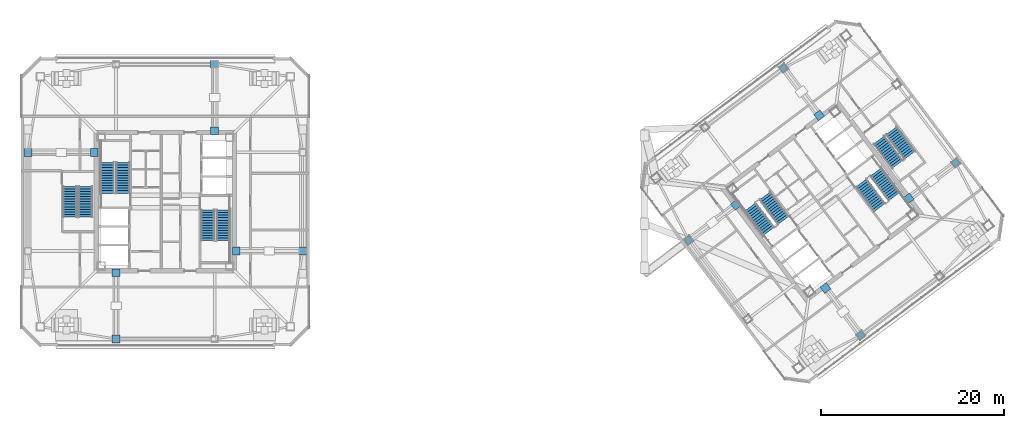
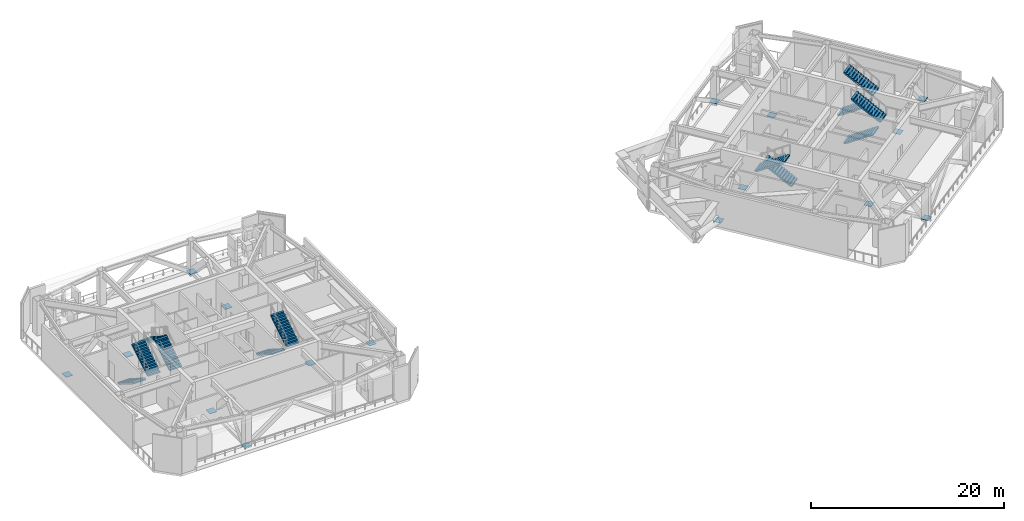
# One storey, part 9 of 15: 16 discrete accessories, 12 stair flights, 6 elements without a shape of their own.
"""IFC4 building model written with IfcOpenShell, lengths in metres."""

import ifcopenshell
import ifcopenshell.guid

model = None  # the IFC model being written
_history = None  # IfcOwnerHistory: only IFC2X3 demands one
_inside = {}  # id of a spatial element -> (the spatial element, [elements in it])
_under = {}  # id of a project, library or spatial element -> (it, [spatial elements below it])
_declared = {}  # id of a project -> (the project, [libraries it declares])
_typed = {}  # id of a type object -> (the type object, [elements of that type])
_made_of = {}  # id of a material, layer set ... -> (it, [elements and type objects made of it])


def new_model(schema):
    """Start an empty IFC model of exactly this schema.

    Asked for "IFC4X3", IfcOpenShell would pick the latest addendum, in which some entities
    have other attributes; the version numbers below select the first issue.
    IFC2X3 requires an IfcOwnerHistory on every rooted entity: one is made here for all.
    """
    global model, _history
    if schema == "IFC4X3":
        model = ifcopenshell.file(schema_version=(4, 3, 0, 0))
    else:
        model = ifcopenshell.file(schema=schema)
    _inside.clear()
    _under.clear()
    _declared.clear()
    _typed.clear()
    _made_of.clear()
    _history = None
    if model.schema == "IFC2X3":
        org = make("IfcOrganization", Name="unknown")
        user = make(
            "IfcPersonAndOrganization",
            ThePerson=make("IfcPerson", FamilyName="unknown"),
            TheOrganization=org,
        )
        app = make(
            "IfcApplication",
            ApplicationDeveloper=org,
            Version="unknown",
            ApplicationFullName="unknown",
            ApplicationIdentifier="unknown",
        )
        _history = make(
            "IfcOwnerHistory",
            OwningUser=user,
            OwningApplication=app,
            ChangeAction="ADDED",
            CreationDate=0,
        )
    return model


def make(cls, **values):
    """One entity of the class cls with the attributes given. An attribute that is None is left unset."""
    return model.create_entity(
        cls, **{name: value for name, value in values.items() if value is not None}
    )


def rooted(cls, **values):
    """An entity with a GlobalId (a new one), such as an element, a storey or a relation."""
    return make(cls, GlobalId=ifcopenshell.guid.new(), OwnerHistory=_history, **values)


def si_unit(unit_type, name, prefix=None):
    """IfcSIUnit, for example si_unit("LENGTHUNIT", "METRE", prefix="MILLI")."""
    return make("IfcSIUnit", UnitType=unit_type, Prefix=prefix, Name=name)


def assignment(units):
    """IfcUnitAssignment: the units of a project."""
    return None if units is None else make("IfcUnitAssignment", Units=units)


def point(xyz):
    """IfcCartesianPoint."""
    return None if xyz is None else make("IfcCartesianPoint", Coordinates=xyz)


def direction(xyz):
    """IfcDirection."""
    return None if xyz is None else make("IfcDirection", DirectionRatios=xyz)


def frame(location, z_axis=None, x_axis=None):
    """IfcAxis2Placement3D, a coordinate frame: its origin and axes. An axis left out is left unset."""
    return make(
        "IfcAxis2Placement3D",
        Location=point(location),
        Axis=direction(z_axis),
        RefDirection=direction(x_axis),
    )


def frame_2d(location, x_axis=None):
    """IfcAxis2Placement2D, a coordinate frame in the plane: its origin and x axis."""
    return make(
        "IfcAxis2Placement2D", Location=point(location), RefDirection=direction(x_axis)
    )


def origin():
    """The frame at (0, 0, 0) with its axes left unset."""
    return frame((0.0, 0.0, 0.0))


def origin_2d():
    """The frame at (0, 0) in the plane with its x axis left unset."""
    return frame_2d((0.0, 0.0))


def place(relative_to, where):
    """IfcLocalPlacement: puts the frame where relative to a parent placement (None: the world)."""
    return make(
        "IfcLocalPlacement", PlacementRelTo=relative_to, RelativePlacement=where
    )


def context(
    kind, dimensions, precision=None, world=None, true_north=None, identifier=None
):
    """IfcGeometricRepresentationContext, for example the 3D "Model" context."""
    return make(
        "IfcGeometricRepresentationContext",
        ContextIdentifier=identifier,
        ContextType=kind,
        CoordinateSpaceDimension=dimensions,
        Precision=precision,
        WorldCoordinateSystem=world,
        TrueNorth=true_north,
    )


def subcontext(parent, identifier, kind, view, scale=None):
    """IfcGeometricRepresentationSubContext, for example "Body" below "Model"."""
    return make(
        "IfcGeometricRepresentationSubContext",
        ContextIdentifier=identifier,
        ContextType=kind,
        ParentContext=parent,
        TargetScale=scale,
        TargetView=view,
    )


def project(units=None, contexts=None):
    """IfcProject with its units and contexts."""
    return rooted(
        "IfcProject",
        Name="project",
        RepresentationContexts=contexts,
        UnitsInContext=assignment(units),
    )


def spatial(cls, under=None, at=None, **own):
    """A site, building, storey or space (cls), placed at a placement, below another one or the project."""
    s = rooted(cls, ObjectPlacement=at, **own)
    if under is not None:
        _under.setdefault(under.id(), (under, []))[1].append(s)
    return s


def polyline(points):
    """IfcPolyline through the points."""
    return make("IfcPolyline", Points=[point(p) for p in points])


def profile(cls, at=None, kind="AREA", **sizes):
    """A parametric profile (cls). Its sizes go by their IFC names, for example OverallWidth=200.0."""
    return make(cls, ProfileType=kind, Position=at, **sizes)


def rectangle(**sizes):
    """IfcRectangleProfileDef."""
    return profile("IfcRectangleProfileDef", **sizes)


def outline(outer, holes=None, kind="AREA"):
    """IfcArbitraryClosedProfileDef: a profile drawn as a closed curve; with holes, ...WithVoids."""
    if holes is None:
        return make("IfcArbitraryClosedProfileDef", ProfileType=kind, OuterCurve=outer)
    return make(
        "IfcArbitraryProfileDefWithVoids",
        ProfileType=kind,
        OuterCurve=outer,
        InnerCurves=holes,
    )


def extrude(swept, where, along, depth):
    """IfcExtrudedAreaSolid: the profile swept, set in the frame where, extruded along a direction by depth."""
    return make(
        "IfcExtrudedAreaSolid",
        SweptArea=swept,
        Position=where,
        ExtrudedDirection=direction(along),
        Depth=depth,
    )


def shape(context_of_items, identifier, shape_type, items):
    """IfcShapeRepresentation: the items that make up one representation, for example the "Body"."""
    return make(
        "IfcShapeRepresentation",
        ContextOfItems=context_of_items,
        RepresentationIdentifier=identifier,
        RepresentationType=shape_type,
        Items=items,
    )


def material(Name=None, Category=None):
    """IfcMaterial."""
    return make("IfcMaterial", Name=Name, Category=Category)


def made_of(thing, what):
    """Note that an element or type object is made of a material, layer set ...; save() writes the relation."""
    if what is not None:
        _made_of.setdefault(what.id(), (what, []))[1].append(thing)
    return thing


def type_object(cls, material=None, **own):
    """A type object (cls), such as IfcWallType, which elements share."""
    return made_of(rooted(cls, **own), material)


def element(
    cls,
    number,
    at=None,
    inside=None,
    cuts=None,
    type_object=None,
    material=None,
    context=None,
    identifier="Body",
    shape_type=None,
    held_by="IfcProductDefinitionShape",
    body=None,
    shapes=None,
    **own,
):
    """One element of the class cls, such as IfcWall. Its Tag is "e" and its number.

    at: its placement. inside: the storey or other place that contains it. cuts: it is an
    opening in that element (IfcRelVoidsElement). A single representation is given by context,
    identifier, shape_type and body (its items); several are given by shapes. held_by: the class
    of the entity that holds the representations. save() writes the other relations.
    """
    e = rooted(cls, Tag="e%d" % number, ObjectPlacement=at, **own)
    if body is not None:
        shapes = [shape(context, identifier, shape_type, body)]
    if shapes is not None:
        e.Representation = make(held_by, Representations=shapes)
    if inside is not None:
        _inside.setdefault(inside.id(), (inside, []))[1].append(e)
    if cuts is not None:
        rooted(
            "IfcRelVoidsElement", RelatingBuildingElement=cuts, RelatedOpeningElement=e
        )
    if type_object is not None:
        _typed.setdefault(type_object.id(), (type_object, []))[1].append(e)
    return made_of(e, material)


def aggregate(whole, parts):
    """IfcRelAggregates: a whole, such as a stair, and the parts it consists of."""
    return rooted("IfcRelAggregates", RelatingObject=whole, RelatedObjects=parts)


def save(model, path):
    """Write the relations noted so far, then the file.

    IfcRelAggregates (storeys below a building ...), IfcRelContainedInSpatialStructure (elements
    in a storey), IfcRelDefinesByType, IfcRelAssociatesMaterial and IfcRelDeclares: one each for
    every whole, place, type object, material and project.
    """
    for whole, parts in _under.values():
        aggregate(whole, parts)
    for where, things in _inside.values():
        rooted(
            "IfcRelContainedInSpatialStructure",
            RelatedElements=things,
            RelatingStructure=where,
        )
    for kind, things in _typed.values():
        rooted("IfcRelDefinesByType", RelatedObjects=things, RelatingType=kind)
    for what, things in _made_of.values():
        rooted("IfcRelAssociatesMaterial", RelatedObjects=things, RelatingMaterial=what)
    for by, libraries in _declared.values():
        rooted("IfcRelDeclares", RelatingContext=by, RelatedDefinitions=libraries)
    model.write(path)


model = new_model("IFC4")

# Units and contexts
model_context = context("Model", 3, precision=1e-05, world=origin(), true_north=direction((0.0, 1.0)))
body_context = subcontext(model_context, "Body", "Model", "MODEL_VIEW")
ifc_project = project(units=[si_unit("LENGTHUNIT", "METRE"), si_unit("AREAUNIT", "SQUARE_METRE"), si_unit("VOLUMEUNIT", "CUBIC_METRE"), si_unit("PLANEANGLEUNIT", "RADIAN"), si_unit("MASSUNIT", "GRAM", prefix="KILO")], contexts=[model_context])

# Site, building, storey
site_placement = place(None, origin())
site = spatial("IfcSite", under=ifc_project, at=site_placement, CompositionType="ELEMENT")
building_placement = place(site_placement, origin())
building = spatial("IfcBuilding", under=site, at=building_placement, Name="Tashvorn Skyway Center", CompositionType="ELEMENT")
storey_placement = place(building_placement, frame((0.0, 0.0, 246.800048828125)))
storey = spatial("IfcBuildingStorey", under=building, at=storey_placement, Name="L67", CompositionType="ELEMENT", Elevation=246.800048828125)

# Stair, stair flights
ifc_material_1 = material(Name="Concrete C40/50", Category="concrete")
stair_type = type_object("IfcStairType", Name="STAIR-CORE-1500", PredefinedType="HALF_TURN_STAIR", material=ifc_material_1)
stair_1_placement = place(storey_placement, origin())
stair_1 = element("IfcStair", 1, at=stair_1_placement, inside=storey, type_object=stair_type, Name="L67 Tower 1 Exit Stair 1", PredefinedType="HALF_TURN_STAIR")
stair_flight_type = type_object("IfcStairFlightType", Name="SFLIGHT-1500", PredefinedType="STRAIGHT", material=ifc_material_1)
stair_flight_1_placement = place(storey_placement, frame((37.35009765625, 32.919921875, 0.0), z_axis=(0.0, 0.0, 1.0), x_axis=(0.0, 1.0, 0.0)))
stair_flight_1 = element("IfcStairFlight", 2, at=stair_flight_1_placement, type_object=stair_flight_type, Name="ST-T1-1 flight 1", NumberOfRisers=13, NumberOfTreads=12, PredefinedType="STRAIGHT", RiserHeight=0.176923077, TreadLength=0.28, context=body_context, shape_type="SweptSolid", body=[
    extrude(outline(polyline([(0.0, 0.0), (0.0, 0.177001953125), (0.280029296875, 0.177001953125), (0.280029296875, 0.353759765625), (0.56005859375, 0.353759765625), (0.56005859375, 0.53076171875), (0.840087890625, 0.53076171875), (0.840087890625, 0.707763671875), (1.1201171875, 0.707763671875), (1.1201171875, 0.884521484375), (1.39990234375, 0.884521484375), (1.39990234375, 1.0615234375), (1.679931640625, 1.0615234375), (1.679931640625, 1.238525390625), (1.9599609375, 1.238525390625), (1.9599609375, 1.415283203125), (2.239990234375, 1.415283203125), (2.239990234375, 1.59228515625), (2.52001953125, 1.59228515625), (2.52001953125, 1.769287109375), (2.800048828125, 1.769287109375), (2.800048828125, 1.946044921875), (3.080078125, 1.946044921875), (3.080078125, 2.123046875), (3.360107421875, 2.123046875), (3.360107421875, 2.300048828125), (3.360107421875, 1.94580078125), (0.280517578125, 0.0), (0.0, 0.0)])), frame((0.0, 0.75, 0.0), z_axis=(0.0, -1.0, 0.0), x_axis=(1.0, 0.0, 0.0)), (0.0, 0.0, 1.0), 1.5),
])
stair_flight_2_placement = place(storey_placement, frame((35.64990234375, 36.280029296875, 2.300048828125), z_axis=(0.0, 0.0, 1.0), x_axis=(0.0, -1.0, 0.0)))
stair_flight_2 = element("IfcStairFlight", 3, at=stair_flight_2_placement, type_object=stair_flight_type, Name="ST-T1-1 flight 2", NumberOfRisers=13, NumberOfTreads=12, PredefinedType="STRAIGHT", RiserHeight=0.176923077, TreadLength=0.28, context=body_context, shape_type="SweptSolid", body=[
    extrude(outline(polyline([(0.0, 0.0), (0.0, 0.177001953125), (0.280029296875, 0.177001953125), (0.280029296875, 0.353759765625), (0.56005859375, 0.353759765625), (0.56005859375, 0.53076171875), (0.840087890625, 0.53076171875), (0.840087890625, 0.707763671875), (1.1201171875, 0.707763671875), (1.1201171875, 0.884521484375), (1.39990234375, 0.884521484375), (1.39990234375, 1.0615234375), (1.679931640625, 1.0615234375), (1.679931640625, 1.238525390625), (1.9599609375, 1.238525390625), (1.9599609375, 1.415283203125), (2.239990234375, 1.415283203125), (2.239990234375, 1.59228515625), (2.52001953125, 1.59228515625), (2.52001953125, 1.769287109375), (2.800048828125, 1.769287109375), (2.800048828125, 1.946044921875), (3.080078125, 1.946044921875), (3.080078125, 2.123046875), (3.360107421875, 2.123046875), (3.360107421875, 2.300048828125), (3.360107421875, 1.94580078125), (0.280517578125, 0.0), (0.0, 0.0)])), frame((0.0, 0.75, 0.0), z_axis=(0.0, -1.0, 0.0), x_axis=(1.0, 0.0, 0.0)), (0.0, 0.0, 1.0), 1.5),
])
aggregate(stair_1, [stair_flight_1, stair_flight_2])

stair_2_placement = place(storey_placement, origin())
stair_2 = element("IfcStair", 4, at=stair_2_placement, inside=storey, type_object=stair_type, Name="L67 Tower 1 Exit Stair 2", PredefinedType="HALF_TURN_STAIR")
stair_flight_3_placement = place(storey_placement, frame((46.64990234375, 31.080078125, 0.0), z_axis=(0.0, 0.0, 1.0), x_axis=(0.0, -1.0, 0.0)))
stair_flight_3 = element("IfcStairFlight", 5, at=stair_flight_3_placement, type_object=stair_flight_type, Name="ST-T1-2 flight 1", NumberOfRisers=13, NumberOfTreads=12, PredefinedType="STRAIGHT", RiserHeight=0.176923077, TreadLength=0.28, context=body_context, shape_type="SweptSolid", body=[
    extrude(outline(polyline([(0.0, 0.0), (0.0, 0.177001953125), (0.280029296875, 0.177001953125), (0.280029296875, 0.353759765625), (0.56005859375, 0.353759765625), (0.56005859375, 0.53076171875), (0.840087890625, 0.53076171875), (0.840087890625, 0.707763671875), (1.1201171875, 0.707763671875), (1.1201171875, 0.884521484375), (1.39990234375, 0.884521484375), (1.39990234375, 1.0615234375), (1.679931640625, 1.0615234375), (1.679931640625, 1.238525390625), (1.9599609375, 1.238525390625), (1.9599609375, 1.415283203125), (2.239990234375, 1.415283203125), (2.239990234375, 1.59228515625), (2.52001953125, 1.59228515625), (2.52001953125, 1.769287109375), (2.800048828125, 1.769287109375), (2.800048828125, 1.946044921875), (3.080078125, 1.946044921875), (3.080078125, 2.123046875), (3.360107421875, 2.123046875), (3.360107421875, 2.300048828125), (3.360107421875, 1.94580078125), (0.280517578125, 0.0), (0.0, 0.0)])), frame((0.0, 0.75, 0.0), z_axis=(0.0, -1.0, 0.0), x_axis=(1.0, 0.0, 0.0)), (0.0, 0.0, 1.0), 1.5),
])
stair_flight_4_placement = place(storey_placement, frame((48.35009765625, 27.719970703125, 2.300048828125), z_axis=(0.0, 0.0, 1.0), x_axis=(0.0, 1.0, 0.0)))
stair_flight_4 = element("IfcStairFlight", 6, at=stair_flight_4_placement, type_object=stair_flight_type, Name="ST-T1-2 flight 2", NumberOfRisers=13, NumberOfTreads=12, PredefinedType="STRAIGHT", RiserHeight=0.176923077, TreadLength=0.28, context=body_context, shape_type="SweptSolid", body=[
    extrude(outline(polyline([(0.0, 0.0), (0.0, 0.177001953125), (0.280029296875, 0.177001953125), (0.280029296875, 0.353759765625), (0.56005859375, 0.353759765625), (0.56005859375, 0.53076171875), (0.840087890625, 0.53076171875), (0.840087890625, 0.707763671875), (1.1201171875, 0.707763671875), (1.1201171875, 0.884521484375), (1.39990234375, 0.884521484375), (1.39990234375, 1.0615234375), (1.679931640625, 1.0615234375), (1.679931640625, 1.238525390625), (1.9599609375, 1.238525390625), (1.9599609375, 1.415283203125), (2.239990234375, 1.415283203125), (2.239990234375, 1.59228515625), (2.52001953125, 1.59228515625), (2.52001953125, 1.769287109375), (2.800048828125, 1.769287109375), (2.800048828125, 1.946044921875), (3.080078125, 1.946044921875), (3.080078125, 2.123046875), (3.360107421875, 2.123046875), (3.360107421875, 2.300048828125), (3.360107421875, 1.94580078125), (0.280517578125, 0.0), (0.0, 0.0)])), frame((0.0, 0.75, 0.0), z_axis=(0.0, -1.0, 0.0), x_axis=(1.0, 0.0, 0.0)), (0.0, 0.0, 1.0), 1.5),
])
aggregate(stair_2, [stair_flight_3, stair_flight_4])

stair_3_placement = place(storey_placement, origin())
stair_3 = element("IfcStair", 7, at=stair_3_placement, inside=storey, type_object=stair_type, Name="L67 Tower 2 Exit Stair 1", PredefinedType="HALF_TURN_STAIR")
stair_flight_5_placement = place(storey_placement, frame((109.72802734375, 29.946044921875, 0.0), z_axis=(0.0, 0.0, 1.0), x_axis=(-0.600000004945, 0.799999996291, 0.0)))
stair_flight_5 = element("IfcStairFlight", 8, at=stair_flight_5_placement, type_object=stair_flight_type, Name="ST-T2-1 flight 1", NumberOfRisers=13, NumberOfTreads=12, PredefinedType="STRAIGHT", RiserHeight=0.176923077, TreadLength=0.28, context=body_context, shape_type="SweptSolid", body=[
    extrude(outline(polyline([(0.0, 0.0), (0.0, 0.177001953125), (0.280029296875, 0.177001953125), (0.280029296875, 0.353759765625), (0.56005859375, 0.353759765625), (0.56005859375, 0.53076171875), (0.840087890625, 0.53076171875), (0.840087890625, 0.707763671875), (1.1201171875, 0.707763671875), (1.1201171875, 0.884521484375), (1.39990234375, 0.884521484375), (1.39990234375, 1.0615234375), (1.679931640625, 1.0615234375), (1.679931640625, 1.238525390625), (1.9599609375, 1.238525390625), (1.9599609375, 1.415283203125), (2.239990234375, 1.415283203125), (2.239990234375, 1.59228515625), (2.52001953125, 1.59228515625), (2.52001953125, 1.769287109375), (2.800048828125, 1.769287109375), (2.800048828125, 1.946044921875), (3.080078125, 1.946044921875), (3.080078125, 2.123046875), (3.360107421875, 2.123046875), (3.360107421875, 2.300048828125), (3.360107421875, 1.94580078125), (0.280517578125, 0.0), (0.0, 0.0)])), frame((0.0, 0.75, 0.0), z_axis=(0.0, -1.0, 0.0), x_axis=(1.0, 0.0, 0.0)), (0.0, 0.0, 1.0), 1.5),
])
stair_flight_6_placement = place(storey_placement, frame((106.1279296875, 31.446044921875, 2.300048828125), z_axis=(0.0, 0.0, 1.0), x_axis=(0.600000004945, -0.799999996291, 0.0)))
stair_flight_6 = element("IfcStairFlight", 9, at=stair_flight_6_placement, type_object=stair_flight_type, Name="ST-T2-1 flight 2", NumberOfRisers=13, NumberOfTreads=12, PredefinedType="STRAIGHT", RiserHeight=0.176923077, TreadLength=0.28, context=body_context, shape_type="SweptSolid", body=[
    extrude(outline(polyline([(0.0, 0.0), (0.0, 0.177001953125), (0.280029296875, 0.177001953125), (0.280029296875, 0.353759765625), (0.56005859375, 0.353759765625), (0.56005859375, 0.53076171875), (0.840087890625, 0.53076171875), (0.840087890625, 0.707763671875), (1.1201171875, 0.707763671875), (1.1201171875, 0.884521484375), (1.39990234375, 0.884521484375), (1.39990234375, 1.0615234375), (1.679931640625, 1.0615234375), (1.679931640625, 1.238525390625), (1.9599609375, 1.238525390625), (1.9599609375, 1.415283203125), (2.239990234375, 1.415283203125), (2.239990234375, 1.59228515625), (2.52001953125, 1.59228515625), (2.52001953125, 1.769287109375), (2.800048828125, 1.769287109375), (2.800048828125, 1.946044921875), (3.080078125, 1.946044921875), (3.080078125, 2.123046875), (3.360107421875, 2.123046875), (3.360107421875, 2.300048828125), (3.360107421875, 1.94580078125), (0.280517578125, 0.0), (0.0, 0.0)])), frame((0.0, 0.75, 0.0), z_axis=(0.0, -1.0, 0.0), x_axis=(1.0, 0.0, 0.0)), (0.0, 0.0, 1.0), 1.5),
])
aggregate(stair_3, [stair_flight_5, stair_flight_6])

stair_4_placement = place(storey_placement, origin())
stair_4 = element("IfcStair", 10, at=stair_4_placement, inside=storey, type_object=stair_type, Name="L67 Tower 2 Exit Stair 2", PredefinedType="HALF_TURN_STAIR")
stair_flight_7_placement = place(storey_placement, frame((118.27197265625, 34.053955078125, 0.0), z_axis=(0.0, 0.0, 1.0), x_axis=(0.600000004945, -0.799999996291, 0.0)))
stair_flight_7 = element("IfcStairFlight", 11, at=stair_flight_7_placement, type_object=stair_flight_type, Name="ST-T2-2 flight 1", NumberOfRisers=13, NumberOfTreads=12, PredefinedType="STRAIGHT", RiserHeight=0.176923077, TreadLength=0.28, context=body_context, shape_type="SweptSolid", body=[
    extrude(outline(polyline([(0.0, 0.0), (0.0, 0.177001953125), (0.280029296875, 0.177001953125), (0.280029296875, 0.353759765625), (0.56005859375, 0.353759765625), (0.56005859375, 0.53076171875), (0.840087890625, 0.53076171875), (0.840087890625, 0.707763671875), (1.1201171875, 0.707763671875), (1.1201171875, 0.884521484375), (1.39990234375, 0.884521484375), (1.39990234375, 1.0615234375), (1.679931640625, 1.0615234375), (1.679931640625, 1.238525390625), (1.9599609375, 1.238525390625), (1.9599609375, 1.415283203125), (2.239990234375, 1.415283203125), (2.239990234375, 1.59228515625), (2.52001953125, 1.59228515625), (2.52001953125, 1.769287109375), (2.800048828125, 1.769287109375), (2.800048828125, 1.946044921875), (3.080078125, 1.946044921875), (3.080078125, 2.123046875), (3.360107421875, 2.123046875), (3.360107421875, 2.300048828125), (3.360107421875, 1.94580078125), (0.280517578125, 0.0), (0.0, 0.0)])), frame((0.0, 0.75, 0.0), z_axis=(0.0, -1.0, 0.0), x_axis=(1.0, 0.0, 0.0)), (0.0, 0.0, 1.0), 1.5),
])
stair_flight_8_placement = place(storey_placement, frame((121.8720703125, 32.553955078125, 2.300048828125), z_axis=(0.0, 0.0, 1.0), x_axis=(-0.600000004945, 0.799999996291, 0.0)))
stair_flight_8 = element("IfcStairFlight", 12, at=stair_flight_8_placement, type_object=stair_flight_type, Name="ST-T2-2 flight 2", NumberOfRisers=13, NumberOfTreads=12, PredefinedType="STRAIGHT", RiserHeight=0.176923077, TreadLength=0.28, context=body_context, shape_type="SweptSolid", body=[
    extrude(outline(polyline([(0.0, 0.0), (0.0, 0.177001953125), (0.280029296875, 0.177001953125), (0.280029296875, 0.353759765625), (0.56005859375, 0.353759765625), (0.56005859375, 0.53076171875), (0.840087890625, 0.53076171875), (0.840087890625, 0.707763671875), (1.1201171875, 0.707763671875), (1.1201171875, 0.884521484375), (1.39990234375, 0.884521484375), (1.39990234375, 1.0615234375), (1.679931640625, 1.0615234375), (1.679931640625, 1.238525390625), (1.9599609375, 1.238525390625), (1.9599609375, 1.415283203125), (2.239990234375, 1.415283203125), (2.239990234375, 1.59228515625), (2.52001953125, 1.59228515625), (2.52001953125, 1.769287109375), (2.800048828125, 1.769287109375), (2.800048828125, 1.946044921875), (3.080078125, 1.946044921875), (3.080078125, 2.123046875), (3.360107421875, 2.123046875), (3.360107421875, 2.300048828125), (3.360107421875, 1.94580078125), (0.280517578125, 0.0), (0.0, 0.0)])), frame((0.0, 0.75, 0.0), z_axis=(0.0, -1.0, 0.0), x_axis=(1.0, 0.0, 0.0)), (0.0, 0.0, 1.0), 1.5),
])
aggregate(stair_4, [stair_flight_7, stair_flight_8])

stair_5_placement = place(storey_placement, origin())
stair_5 = element("IfcStair", 13, at=stair_5_placement, inside=storey, type_object=stair_type, Name="L67 Tower 1 Exit Stair 3", PredefinedType="HALF_TURN_STAIR")
stair_flight_9_placement = place(storey_placement, frame((31.550048828125, 33.679931640625, 0.0), z_axis=(0.0, 0.0, 1.0), x_axis=(0.0, -1.0, 0.0)))
stair_flight_9 = element("IfcStairFlight", 14, at=stair_flight_9_placement, type_object=stair_flight_type, Name="ST-T1-3 flight 1", NumberOfRisers=13, NumberOfTreads=12, PredefinedType="STRAIGHT", RiserHeight=0.176923077, TreadLength=0.28, context=body_context, shape_type="SweptSolid", body=[
    extrude(outline(polyline([(0.0, 0.0), (0.0, 0.177001953125), (0.280029296875, 0.177001953125), (0.280029296875, 0.353759765625), (0.56005859375, 0.353759765625), (0.56005859375, 0.53076171875), (0.840087890625, 0.53076171875), (0.840087890625, 0.707763671875), (1.1201171875, 0.707763671875), (1.1201171875, 0.884521484375), (1.39990234375, 0.884521484375), (1.39990234375, 1.0615234375), (1.679931640625, 1.0615234375), (1.679931640625, 1.238525390625), (1.9599609375, 1.238525390625), (1.9599609375, 1.415283203125), (2.239990234375, 1.415283203125), (2.239990234375, 1.59228515625), (2.52001953125, 1.59228515625), (2.52001953125, 1.769287109375), (2.800048828125, 1.769287109375), (2.800048828125, 1.946044921875), (3.080078125, 1.946044921875), (3.080078125, 2.123046875), (3.360107421875, 2.123046875), (3.360107421875, 2.300048828125), (3.360107421875, 1.94580078125), (0.280517578125, 0.0), (0.0, 0.0)])), frame((0.0, 0.75, 0.0), z_axis=(0.0, -1.0, 0.0), x_axis=(1.0, 0.0, 0.0)), (0.0, 0.0, 1.0), 1.5),
])
stair_flight_10_placement = place(storey_placement, frame((33.25, 30.320068359375, 2.300048828125), z_axis=(0.0, 0.0, 1.0), x_axis=(0.0, 1.0, 0.0)))
stair_flight_10 = element("IfcStairFlight", 15, at=stair_flight_10_placement, type_object=stair_flight_type, Name="ST-T1-3 flight 2", NumberOfRisers=13, NumberOfTreads=12, PredefinedType="STRAIGHT", RiserHeight=0.176923077, TreadLength=0.28, context=body_context, shape_type="SweptSolid", body=[
    extrude(outline(polyline([(0.0, 0.0), (0.0, 0.177001953125), (0.280029296875, 0.177001953125), (0.280029296875, 0.353759765625), (0.56005859375, 0.353759765625), (0.56005859375, 0.53076171875), (0.840087890625, 0.53076171875), (0.840087890625, 0.707763671875), (1.1201171875, 0.707763671875), (1.1201171875, 0.884521484375), (1.39990234375, 0.884521484375), (1.39990234375, 1.0615234375), (1.679931640625, 1.0615234375), (1.679931640625, 1.238525390625), (1.9599609375, 1.238525390625), (1.9599609375, 1.415283203125), (2.239990234375, 1.415283203125), (2.239990234375, 1.59228515625), (2.52001953125, 1.59228515625), (2.52001953125, 1.769287109375), (2.800048828125, 1.769287109375), (2.800048828125, 1.946044921875), (3.080078125, 1.946044921875), (3.080078125, 2.123046875), (3.360107421875, 2.123046875), (3.360107421875, 2.300048828125), (3.360107421875, 1.94580078125), (0.280517578125, 0.0), (0.0, 0.0)])), frame((0.0, 0.75, 0.0), z_axis=(0.0, -1.0, 0.0), x_axis=(1.0, 0.0, 0.0)), (0.0, 0.0, 1.0), 1.5),
])
aggregate(stair_5, [stair_flight_9, stair_flight_10])

stair_6_placement = place(storey_placement, origin())
stair_6 = element("IfcStair", 16, at=stair_6_placement, inside=storey, type_object=stair_type, Name="L67 Tower 2 Exit Stair 3", PredefinedType="HALF_TURN_STAIR")
stair_flight_11_placement = place(storey_placement, frame((120.216064453125, 38.761962890625, 0.0), z_axis=(0.0, 0.0, 1.0), x_axis=(0.600000004945, -0.799999996291, 0.0)))
stair_flight_11 = element("IfcStairFlight", 17, at=stair_flight_11_placement, type_object=stair_flight_type, Name="ST-T2-3 flight 1", NumberOfRisers=13, NumberOfTreads=12, PredefinedType="STRAIGHT", RiserHeight=0.176923077, TreadLength=0.28, context=body_context, shape_type="SweptSolid", body=[
    extrude(outline(polyline([(0.0, 0.0), (0.0, 0.177001953125), (0.280029296875, 0.177001953125), (0.280029296875, 0.353759765625), (0.56005859375, 0.353759765625), (0.56005859375, 0.53076171875), (0.840087890625, 0.53076171875), (0.840087890625, 0.707763671875), (1.1201171875, 0.707763671875), (1.1201171875, 0.884521484375), (1.39990234375, 0.884521484375), (1.39990234375, 1.0615234375), (1.679931640625, 1.0615234375), (1.679931640625, 1.238525390625), (1.9599609375, 1.238525390625), (1.9599609375, 1.415283203125), (2.239990234375, 1.415283203125), (2.239990234375, 1.59228515625), (2.52001953125, 1.59228515625), (2.52001953125, 1.769287109375), (2.800048828125, 1.769287109375), (2.800048828125, 1.946044921875), (3.080078125, 1.946044921875), (3.080078125, 2.123046875), (3.360107421875, 2.123046875), (3.360107421875, 2.300048828125), (3.360107421875, 1.94580078125), (0.280517578125, 0.0), (0.0, 0.0)])), frame((0.0, 0.75, 0.0), z_axis=(0.0, -1.0, 0.0), x_axis=(1.0, 0.0, 0.0)), (0.0, 0.0, 1.0), 1.5),
])
stair_flight_12_placement = place(storey_placement, frame((123.592041015625, 37.093994140625, 2.300048828125), z_axis=(0.0, 0.0, 1.0), x_axis=(-0.600000004945, 0.799999996291, 0.0)))
stair_flight_12 = element("IfcStairFlight", 18, at=stair_flight_12_placement, type_object=stair_flight_type, Name="ST-T2-3 flight 2", NumberOfRisers=13, NumberOfTreads=12, PredefinedType="STRAIGHT", RiserHeight=0.176923077, TreadLength=0.28, context=body_context, shape_type="SweptSolid", body=[
    extrude(outline(polyline([(0.0, 0.0), (0.0, 0.177001953125), (0.280029296875, 0.177001953125), (0.280029296875, 0.353759765625), (0.56005859375, 0.353759765625), (0.56005859375, 0.53076171875), (0.840087890625, 0.53076171875), (0.840087890625, 0.707763671875), (1.1201171875, 0.707763671875), (1.1201171875, 0.884521484375), (1.39990234375, 0.884521484375), (1.39990234375, 1.0615234375), (1.679931640625, 1.0615234375), (1.679931640625, 1.238525390625), (1.9599609375, 1.238525390625), (1.9599609375, 1.415283203125), (2.239990234375, 1.415283203125), (2.239990234375, 1.59228515625), (2.52001953125, 1.59228515625), (2.52001953125, 1.769287109375), (2.800048828125, 1.769287109375), (2.800048828125, 1.946044921875), (3.080078125, 1.946044921875), (3.080078125, 2.123046875), (3.360107421875, 2.123046875), (3.360107421875, 2.300048828125), (3.360107421875, 1.94580078125), (0.280517578125, 0.0), (0.0, 0.0)])), frame((0.0, 0.75, 0.0), z_axis=(0.0, -1.0, 0.0), x_axis=(1.0, 0.0, 0.0)), (0.0, 0.0, 1.0), 1.5),
])
aggregate(stair_6, [stair_flight_11, stair_flight_12])

# Discrete accessories
ifc_material_2 = material(Name="Steel ASTM A572 Grade 50", Category="steel")
discrete_accessory_type = type_object("IfcDiscreteAccessoryType", Name="ACC-EMBED-45", PredefinedType="USERDEFINED", material=ifc_material_2)
for number, where, z_axis, x_axis, name in (
    (19, (47.39990234375, 39.780029296875, 0.2275390625), (0.0, 0.0, 1.0), (1.0, 0.0, 0.0), "Tower 1 L67 Core Wall Cast-In Steel Embed Plate N1"),
    (20, (47.39990234375, 47.050048828125, 0.2275390625), (0.0, 0.0, 1.0), (1.0, 0.0, 0.0), "Tower 1 L67 Outrigger Perimeter Connection Plate N1"),
    (21, (36.60009765625, 24.219970703125, 0.2275390625), (0.0, 0.0, 1.0), (1.0, 0.0, 0.0), "Tower 1 L67 Core Wall Cast-In Steel Embed Plate S1"),
    (22, (36.60009765625, 16.949951171875, 0.2275390625), (0.0, 0.0, 1.0), (1.0, 0.0, 0.0), "Tower 1 L67 Outrigger Perimeter Connection Plate S1"),
    (23, (49.780029296875, 26.60009765625, 0.2275390625), (0.0, 0.0, 1.0), (1.0, 0.0, 0.0), "Tower 1 L67 Core Wall Cast-In Steel Embed Plate E1"),
    (24, (57.050048828125, 26.60009765625, 0.2275390625), (0.0, 0.0, 1.0), (1.0, 0.0, 0.0), "Tower 1 L67 Outrigger Perimeter Connection Plate E1"),
    (25, (34.219970703125, 37.39990234375, 0.2275390625), (0.0, 0.0, 1.0), (1.0, 0.0, 0.0), "Tower 1 L67 Core Wall Cast-In Steel Embed Plate W1"),
    (26, (26.949951171875, 37.39990234375, 0.2275390625), (0.0, 0.0, 1.0), (1.0, 0.0, 0.0), "Tower 1 L67 Outrigger Perimeter Connection Plate W1"),
    (27, (113.652099609375, 41.464111328125, 0.2275390625), (0.0, 0.0, 1.0), (0.799999996291, 0.600000004945, 0.0), "Tower 2 L67 Core Wall Cast-In Steel Embed Plate N1"),
    (28, (109.77001953125, 46.639892578125, 0.2275390625), (0.0, 0.0, 1.0), (0.799999996291, 0.600000004945, 0.0), "Tower 2 L67 Outrigger Perimeter Connection Plate N1"),
    (29, (114.347900390625, 22.535888671875, 0.2275390625), (0.0, 0.0, 1.0), (0.799999996291, 0.600000004945, 0.0), "Tower 2 L67 Core Wall Cast-In Steel Embed Plate S1"),
    (30, (118.22998046875, 17.360107421875, 0.2275390625), (0.0, 0.0, 1.0), (0.799999996291, 0.600000004945, 0.0), "Tower 2 L67 Outrigger Perimeter Connection Plate S1"),
    (31, (123.464111328125, 32.347900390625, 0.2275390625), (0.0, 0.0, 1.0), (0.799999996291, 0.600000004945, 0.0), "Tower 2 L67 Core Wall Cast-In Steel Embed Plate E1"),
    (32, (128.639892578125, 36.22998046875, 0.2275390625), (0.0, 0.0, 1.0), (0.799999996291, 0.600000004945, 0.0), "Tower 2 L67 Outrigger Perimeter Connection Plate E1"),
    (33, (104.535888671875, 31.652099609375, 0.2275390625), (0.0, 0.0, 1.0), (0.799999996291, 0.600000004945, 0.0), "Tower 2 L67 Core Wall Cast-In Steel Embed Plate W1"),
    (34, (99.360107421875, 27.77001953125, 0.2275390625), (0.0, 0.0, 1.0), (0.799999996291, 0.600000004945, 0.0), "Tower 2 L67 Outrigger Perimeter Connection Plate W1"),
):
    element("IfcDiscreteAccessory", number, at=place(storey_placement, frame(where, z_axis=z_axis, x_axis=x_axis)), inside=storey, type_object=discrete_accessory_type, Name=name, ObjectType="EMBED PLATE", PredefinedType="USERDEFINED", context=body_context, shape_type="SweptSolid", body=[
        extrude(rectangle(XDim=0.85009765625, YDim=0.85009765625, at=origin_2d()), origin(), (0.0, 0.0, 1.0), 0.044921875),
    ])

save(model, "model.ifc")
